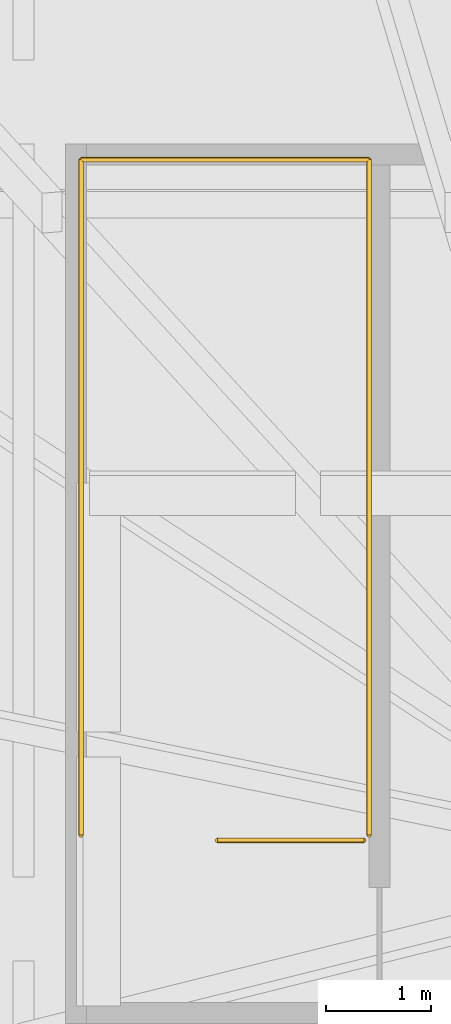
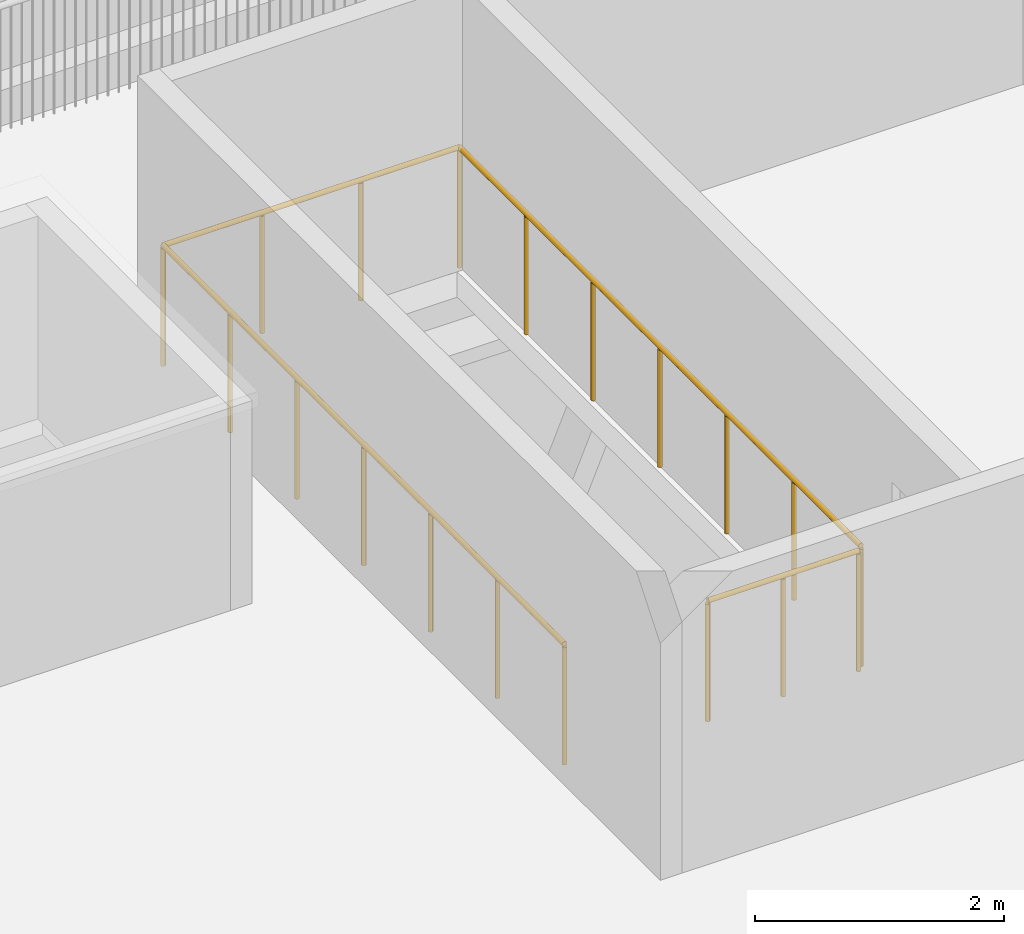
# One storey, part 7 of 7: 2 railings.
"""IFC4 building model written with IfcOpenShell, lengths in metres."""

from ifc_helpers import new_model, si_unit, direction, frame, origin, origin_2d, place, context, subcontext, project, spatial, circle, extrude, material, type_object, element, save


model = new_model("IFC4")

# Units and contexts
model_context = context("Model", 3, precision=1e-05, world=origin(), true_north=direction((0.0, 1.0)))
body_context = subcontext(model_context, "Body", "Model", "MODEL_VIEW")
ifc_project = project(units=[si_unit("LENGTHUNIT", "METRE"), si_unit("AREAUNIT", "SQUARE_METRE"), si_unit("VOLUMEUNIT", "CUBIC_METRE"), si_unit("PLANEANGLEUNIT", "RADIAN"), si_unit("MASSUNIT", "GRAM", prefix="KILO")], contexts=[model_context])

# Site, building, storey
site_placement = place(None, origin())
site = spatial("IfcSite", under=ifc_project, at=site_placement, CompositionType="ELEMENT")
building_placement = place(site_placement, origin())
building = spatial("IfcBuilding", under=site, at=building_placement, Name="Sorahane Residences", CompositionType="ELEMENT")
storey_placement = place(building_placement, frame((0.0, 0.0, 357.800048828125)))
storey = spatial("IfcBuildingStorey", under=building, at=storey_placement, Name="RF", CompositionType="ELEMENT", Elevation=357.800048828125)

# Railings
ifc_material = material(Name="Steel Q355B", Category="steel")
railing_type = type_object("IfcRailingType", Name="Stair guard 1200 Steel Q355B", PredefinedType="GUARDRAIL", material=ifc_material)
railing_1_placement = place(storey_placement, frame((21.25, 38.550048828125, 0.0)))
element("IfcRailing", 1, at=railing_1_placement, inside=storey, type_object=railing_type, Name="RF S3 top well guard 1", PredefinedType="GUARDRAIL", context=body_context, shape_type="SweptSolid", body=[
    extrude(circle(Radius=0.02392578125, at=origin_2d()), frame((0.0, 0.0, 1.17578125), z_axis=(-1.0, 0.0, 0.0), x_axis=(0.0, -1.0, 0.0)), (0.0, 0.0, 1.0), 1.39990234375),
    extrude(circle(Radius=0.02099609375, at=origin_2d()), origin(), (0.0, 0.0, 1.0), 1.15185546875),
    extrude(circle(Radius=0.02099609375, at=origin_2d()), frame((-0.699951171875, 0.0, 0.0)), (0.0, 0.0, 1.0), 1.15185546875),
    extrude(circle(Radius=0.02099609375, at=origin_2d()), frame((-1.39990234375, 0.0, 0.0)), (0.0, 0.0, 1.0), 1.15185546875),
])
railing_2_placement = place(storey_placement, frame((18.550048828125, 38.60009765625, 0.0)))
element("IfcRailing", 2, at=railing_2_placement, inside=storey, type_object=railing_type, Name="RF Stair S3 roof well guard", PredefinedType="GUARDRAIL", context=body_context, shape_type="SweptSolid", body=[
    extrude(circle(Radius=0.02392578125, at=origin_2d()), frame((0.0, 0.0, 1.17578125), z_axis=(0.0, 1.0, 0.0), x_axis=(-1.0, 0.0, 0.0)), (0.0, 0.0, 1.0), 6.449951171875),
    extrude(circle(Radius=0.02392578125, at=origin_2d()), frame((0.0, 6.449951171875, 1.17578125), z_axis=(1.0, 0.0, 0.0), x_axis=(0.0, 1.0, 0.0)), (0.0, 0.0, 1.0), 2.75),
    extrude(circle(Radius=0.02392578125, at=origin_2d()), frame((2.75, 6.449951171875, 1.17578125), z_axis=(0.0, -1.0, 0.0), x_axis=(1.0, 0.0, 0.0)), (0.0, 0.0, 1.0), 6.449951171875),
    extrude(circle(Radius=0.02099609375, at=origin_2d()), origin(), (0.0, 0.0, 1.0), 1.15185546875),
    extrude(circle(Radius=0.02099609375, at=origin_2d()), frame((0.0, 1.074951171875, 0.0)), (0.0, 0.0, 1.0), 1.15185546875),
    extrude(circle(Radius=0.02099609375, at=origin_2d()), frame((0.0, 2.14990234375, 0.0)), (0.0, 0.0, 1.0), 1.15185546875),
    extrude(circle(Radius=0.02099609375, at=origin_2d()), frame((0.0, 3.22509765625, 0.0)), (0.0, 0.0, 1.0), 1.15185546875),
    extrude(circle(Radius=0.02099609375, at=origin_2d()), frame((0.0, 4.300048828125, 0.0)), (0.0, 0.0, 1.0), 1.15185546875),
    extrude(circle(Radius=0.02099609375, at=origin_2d()), frame((0.0, 5.375, 0.0)), (0.0, 0.0, 1.0), 1.15185546875),
    extrude(circle(Radius=0.02099609375, at=origin_2d()), frame((0.0, 6.449951171875, 0.0)), (0.0, 0.0, 1.0), 1.15185546875),
    extrude(circle(Radius=0.02099609375, at=origin_2d()), frame((0.916748046875, 6.449951171875, 0.0)), (0.0, 0.0, 1.0), 1.15185546875),
    extrude(circle(Radius=0.02099609375, at=origin_2d()), frame((1.833251953125, 6.449951171875, 0.0)), (0.0, 0.0, 1.0), 1.15185546875),
    extrude(circle(Radius=0.02099609375, at=origin_2d()), frame((2.75, 6.449951171875, 0.0)), (0.0, 0.0, 1.0), 1.15185546875),
    extrude(circle(Radius=0.02099609375, at=origin_2d()), frame((2.75, 5.375, 0.0)), (0.0, 0.0, 1.0), 1.15185546875),
    extrude(circle(Radius=0.02099609375, at=origin_2d()), frame((2.75, 4.300048828125, 0.0)), (0.0, 0.0, 1.0), 1.15185546875),
    extrude(circle(Radius=0.02099609375, at=origin_2d()), frame((2.75, 3.22509765625, 0.0)), (0.0, 0.0, 1.0), 1.15185546875),
    extrude(circle(Radius=0.02099609375, at=origin_2d()), frame((2.75, 2.14990234375, 0.0)), (0.0, 0.0, 1.0), 1.15185546875),
    extrude(circle(Radius=0.02099609375, at=origin_2d()), frame((2.75, 1.074951171875, 0.0)), (0.0, 0.0, 1.0), 1.15185546875),
    extrude(circle(Radius=0.02099609375, at=origin_2d()), frame((2.75, 0.0, 0.0)), (0.0, 0.0, 1.0), 1.15185546875),
])

save(model, "model.ifc")
